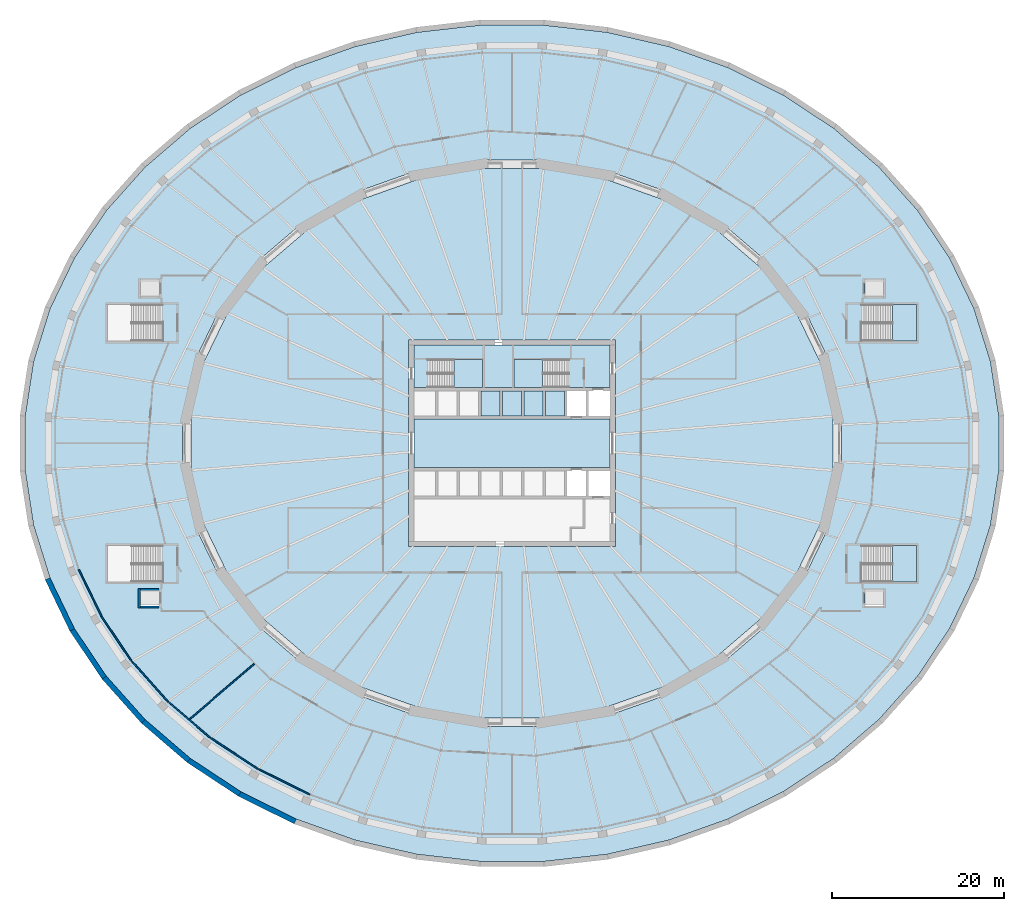
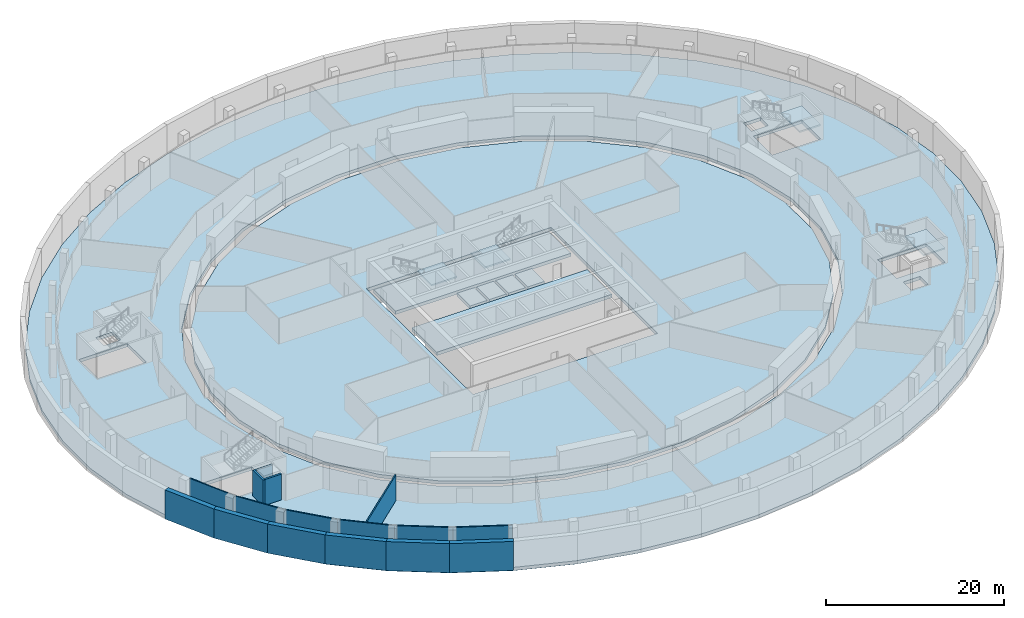
# One storey, part 4 of 14: 16 walls, 12 slabs, 4 elements without a shape of their own.
"""IFC4 building model written with IfcOpenShell, lengths in metres."""

from ifc_helpers import new_model, si_unit, direction, frame, frame_2d, origin, place, context, subcontext, project, spatial, polyline, rectangle, outline, extrude, material, layer, layer_set, type_object, element, aggregate, save


model = new_model("IFC4")

# Units and contexts
model_context = context("Model", 3, precision=1e-05, world=origin(), true_north=direction((0.0, 1.0)))
body_context = subcontext(model_context, "Body", "Model", "MODEL_VIEW")
ifc_project = project(units=[si_unit("LENGTHUNIT", "METRE"), si_unit("AREAUNIT", "SQUARE_METRE"), si_unit("VOLUMEUNIT", "CUBIC_METRE"), si_unit("PLANEANGLEUNIT", "RADIAN"), si_unit("MASSUNIT", "GRAM", prefix="KILO")], contexts=[model_context])

# Site, building, storey
site_placement = place(None, origin())
site = spatial("IfcSite", under=ifc_project, at=site_placement, CompositionType="ELEMENT")
building_placement = place(site_placement, origin())
building = spatial("IfcBuilding", under=site, at=building_placement, Name="Halqa Exchange Tower", CompositionType="ELEMENT")
storey_placement = place(building_placement, frame((0.0, 0.0, -4.0)))
storey = spatial("IfcBuildingStorey", under=building, at=storey_placement, Name="B1", CompositionType="ELEMENT", Elevation=-4.0)

# Slabs
ifc_material_1 = material(Name="Concrete C60/75", Category="concrete")
ifc_layer_1 = layer(ifc_material_1, 0.449951171875)
ifc_layer_set_1 = layer_set([ifc_layer_1], Name="Concrete C60/75")
slab_type_1 = type_object("IfcSlabType", Name="Core floor slab 450", PredefinedType="FLOOR", material=ifc_layer_set_1)
slab_1_placement = place(storey_placement, frame((0.0, 0.0, -0.449951171875)))
element("IfcSlab", 1, at=slab_1_placement, inside=storey, type_object=slab_type_1, Name="Core floor slab", PredefinedType="FLOOR", context=body_context, shape_type="SweptSolid", body=[
    extrude(outline(polyline([(11.39990234375, 2.800048828125), (11.39990234375, -2.800048828125), (-11.39990234375, -2.800048828125), (-11.39990234375, 2.800048828125), (11.39990234375, 2.800048828125)])), origin(), (0.0, 0.0, 1.0), 0.449951171875),
])
slab_2_placement = place(storey_placement, frame((0.0, 0.0, -0.449951171875)))
element("IfcSlab", 2, at=slab_2_placement, inside=storey, type_object=slab_type_1, Name="Core floor slab", PredefinedType="FLOOR", context=body_context, shape_type="SweptSolid", body=[
    extrude(outline(polyline([(11.39990234375, 11.39990234375), (11.39990234375, 6.5), (-11.39990234375, 6.5), (-11.39990234375, 11.39990234375), (11.39990234375, 11.39990234375)])), origin(), (0.0, 0.0, 1.0), 0.449951171875),
])
slab_3_placement = place(storey_placement, frame((0.0, 0.0, -0.449951171875)))
element("IfcSlab", 3, at=slab_3_placement, inside=storey, type_object=slab_type_1, Name="Core floor slab", PredefinedType="FLOOR", context=body_context, shape_type="SweptSolid", body=[
    extrude(outline(polyline([(-1.39990234375, 6.10009765625), (-1.39990234375, 3.199951171875), (-3.60009765625, 3.199951171875), (-3.60009765625, 6.10009765625), (-1.39990234375, 6.10009765625)])), origin(), (0.0, 0.0, 1.0), 0.449951171875),
])
slab_4_placement = place(storey_placement, frame((0.0, 0.0, -0.449951171875)))
element("IfcSlab", 4, at=slab_4_placement, inside=storey, type_object=slab_type_1, Name="Core floor slab", PredefinedType="FLOOR", context=body_context, shape_type="SweptSolid", body=[
    extrude(outline(polyline([(1.10009765625, 6.10009765625), (1.10009765625, 3.199951171875), (-1.10009765625, 3.199951171875), (-1.10009765625, 6.10009765625), (1.10009765625, 6.10009765625)])), origin(), (0.0, 0.0, 1.0), 0.449951171875),
])
slab_5_placement = place(storey_placement, frame((0.0, 0.0, -0.449951171875)))
element("IfcSlab", 5, at=slab_5_placement, inside=storey, type_object=slab_type_1, Name="Core floor slab", PredefinedType="FLOOR", context=body_context, shape_type="SweptSolid", body=[
    extrude(outline(polyline([(3.60009765625, 6.10009765625), (3.60009765625, 3.199951171875), (1.39990234375, 3.199951171875), (1.39990234375, 6.10009765625), (3.60009765625, 6.10009765625)])), origin(), (0.0, 0.0, 1.0), 0.449951171875),
])
slab_6_placement = place(storey_placement, frame((0.0, 0.0, -0.449951171875)))
element("IfcSlab", 6, at=slab_6_placement, inside=storey, type_object=slab_type_1, Name="Core floor slab", PredefinedType="FLOOR", context=body_context, shape_type="SweptSolid", body=[
    extrude(outline(polyline([(6.10009765625, 6.10009765625), (6.10009765625, 3.199951171875), (3.89990234375, 3.199951171875), (3.89990234375, 6.10009765625), (6.10009765625, 6.10009765625)])), origin(), (0.0, 0.0, 1.0), 0.449951171875),
])
ifc_material_2 = material(Name="Concrete C40/50", Category="concrete")
ifc_layer_2 = layer(ifc_material_2, 0.449951171875)
ifc_layer_set_2 = layer_set([ifc_layer_2], Name="Concrete C40/50")
slab_type_2 = type_object("IfcSlabType", Name="RC floor slab 450", PredefinedType="FLOOR", material=ifc_layer_set_2)
slab_7_placement = place(storey_placement, frame((0.0, 0.0, -0.449951171875)))
element("IfcSlab", 7, at=slab_7_placement, inside=storey, type_object=slab_type_2, Name="Floor slab", PredefinedType="FLOOR", context=body_context, shape_type="SweptSolid", body=[
    extrude(outline(polyline([(37.31689453125, 3.13525390625), (37.31689453125, -3.13525390625), (35.88916015625, -9.28759765625), (33.0859375, -15.088623046875), (29.010986328125, -20.316162109375), (23.8173828125, -24.767578125), (17.70361328125, -28.269287109375), (10.904296875, -30.683349609375), (3.682373046875, -31.91455078125), (-3.682373046875, -31.91455078125), (-10.904296875, -30.683349609375), (-17.70361328125, -28.269287109375), (-23.8173828125, -24.767578125), (-29.010986328125, -20.316162109375), (-33.0859375, -15.088623046875), (-35.88916015625, -9.28759765625), (-37.31689453125, -3.13525390625), (-37.31689453125, 3.13525390625), (-35.88916015625, 9.28759765625), (-33.0859375, 15.088623046875), (-29.010986328125, 20.316162109375), (-23.8173828125, 24.767578125), (-17.70361328125, 28.269287109375), (-10.904296875, 30.683349609375), (-3.682373046875, 31.91455078125), (3.682373046875, 31.91455078125), (10.904296875, 30.683349609375), (17.70361328125, 28.269287109375), (23.8173828125, 24.767578125), (29.010986328125, 20.316162109375), (33.0859375, 15.088623046875), (35.88916015625, 9.28759765625), (37.31689453125, 3.13525390625)]), holes=[polyline([(-12.0, -12.0), (12.0, -12.0), (12.0, 12.0), (-12.0, 12.0), (-12.0, -12.0)])]), origin(), (0.0, 0.0, 1.0), 0.449951171875),
])
slab_8_placement = place(storey_placement, frame((0.0, 0.0, -0.449951171875)))
element("IfcSlab", 8, at=slab_8_placement, inside=storey, type_object=slab_type_2, Name="Podium floor slab", PredefinedType="FLOOR", context=body_context, shape_type="SweptSolid", body=[
    extrude(outline(polyline([(56.577880859375, 3.181884765625), (56.577880859375, -3.181884765625), (55.61181640625, -9.49169921875), (53.6953125, -15.64013671875), (50.860595703125, -21.522705078125), (47.15625, -27.03857421875), (42.644287109375, -32.09326171875), (37.401611328125, -36.600341796875), (31.517578125, -40.4814453125), (25.093017578125, -43.670166015625), (18.23779296875, -46.111083984375), (11.0693359375, -47.76220703125), (3.711181640625, -48.59521484375), (-3.711181640625, -48.59521484375), (-11.0693359375, -47.76220703125), (-18.23779296875, -46.111083984375), (-25.093017578125, -43.670166015625), (-31.517578125, -40.4814453125), (-37.401611328125, -36.600341796875), (-42.644287109375, -32.09326171875), (-47.15625, -27.03857421875), (-50.860595703125, -21.522705078125), (-53.6953125, -15.64013671875), (-55.61181640625, -9.49169921875), (-56.577880859375, -3.181884765625), (-56.577880859375, 3.181884765625), (-55.61181640625, 9.49169921875), (-53.6953125, 15.64013671875), (-50.860595703125, 21.522705078125), (-47.15625, 27.03857421875), (-42.644287109375, 32.09326171875), (-37.401611328125, 36.600341796875), (-31.517578125, 40.4814453125), (-25.093017578125, 43.670166015625), (-18.23779296875, 46.111083984375), (-11.0693359375, 47.76220703125), (-3.711181640625, 48.59521484375), (3.711181640625, 48.59521484375), (11.0693359375, 47.76220703125), (18.23779296875, 46.111083984375), (25.093017578125, 43.670166015625), (31.517578125, 40.4814453125), (37.401611328125, 36.600341796875), (42.644287109375, 32.09326171875), (47.15625, 27.03857421875), (50.860595703125, 21.522705078125), (53.6953125, 15.64013671875), (55.61181640625, 9.49169921875), (56.577880859375, 3.181884765625)]), holes=[polyline([(38.31689453125, 3.25), (38.31689453125, -3.25), (36.838134765625, -9.622314453125), (33.93994140625, -15.619384765625), (29.73779296875, -21.010009765625), (24.396484375, -25.58837890625), (18.122802734375, -29.181640625), (11.157470703125, -31.654541015625), (3.76708984375, -32.91455078125), (-3.76708984375, -32.91455078125), (-11.157470703125, -31.654541015625), (-18.122802734375, -29.181640625), (-24.396484375, -25.58837890625), (-29.73779296875, -21.010009765625), (-33.93994140625, -15.619384765625), (-36.838134765625, -9.622314453125), (-38.31689453125, -3.25), (-38.31689453125, 3.25), (-36.838134765625, 9.622314453125), (-33.93994140625, 15.619384765625), (-29.73779296875, 21.010009765625), (-24.396484375, 25.58837890625), (-18.122802734375, 29.181640625), (-11.157470703125, 31.654541015625), (-3.76708984375, 32.91455078125), (3.76708984375, 32.91455078125), (11.157470703125, 31.654541015625), (18.122802734375, 29.181640625), (24.396484375, 25.58837890625), (29.73779296875, 21.010009765625), (33.93994140625, 15.619384765625), (36.838134765625, 9.622314453125), (38.31689453125, 3.25)]), polyline([(40.699951171875, 11.875), (47.0, 11.875), (47.0, 16.125), (40.699951171875, 16.125), (40.699951171875, 11.875)]), polyline([(40.699951171875, -16.125), (47.0, -16.125), (47.0, -11.875), (40.699951171875, -11.875), (40.699951171875, -16.125)]), polyline([(-47.0, 11.875), (-40.699951171875, 11.875), (-40.699951171875, 16.125), (-47.0, 16.125), (-47.0, 11.875)]), polyline([(-47.0, -16.125), (-40.699951171875, -16.125), (-40.699951171875, -11.875), (-47.0, -11.875), (-47.0, -16.125)]), polyline([(41.0, 17.10009765625), (43.199951171875, 17.10009765625), (43.199951171875, 18.89990234375), (41.0, 18.89990234375), (41.0, 17.10009765625)]), polyline([(41.0, -18.89990234375), (43.199951171875, -18.89990234375), (43.199951171875, -17.10009765625), (41.0, -17.10009765625), (41.0, -18.89990234375)]), polyline([(-43.199951171875, 17.10009765625), (-41.0, 17.10009765625), (-41.0, 18.89990234375), (-43.199951171875, 18.89990234375), (-43.199951171875, 17.10009765625)]), polyline([(-43.199951171875, -18.89990234375), (-41.0, -18.89990234375), (-41.0, -17.10009765625), (-43.199951171875, -17.10009765625), (-43.199951171875, -18.89990234375)])]), origin(), (0.0, 0.0, 1.0), 0.449951171875),
])

# Stair, slab
ifc_material_3 = material(Name="Concrete C30/37", Category="concrete")
stair_type_1 = type_object("IfcStairType", Name="Exit stair 1500 wide", PredefinedType="HALF_TURN_STAIR", material=ifc_material_3)
stair_1_placement = place(storey_placement, origin())
stair_1 = element("IfcStair", 9, at=stair_1_placement, inside=storey, type_object=stair_type_1, Name="Exit stair ST1", PredefinedType="HALF_TURN_STAIR")
ifc_layer_3 = layer(ifc_material_3, 0.199951171875)
ifc_layer_set_3 = layer_set([ifc_layer_3], Name="Concrete C30/37")
slab_type_3 = type_object("IfcSlabType", Name="Stair landing 200 slab", PredefinedType="LANDING", material=ifc_layer_set_3)
slab_9_placement = place(storey_placement, frame((0.0, 0.0, 1.800048828125)))
slab_9 = element("IfcSlab", 10, at=slab_9_placement, type_object=slab_type_3, Name="ST1 landing 1", PredefinedType="LANDING", context=body_context, shape_type="SweptSolid", body=[
    extrude(outline(polyline([(-6.719970703125, 6.5), (-3.39990234375, 6.5), (-3.39990234375, 9.75), (-6.719970703125, 9.75), (-6.719970703125, 6.5)])), origin(), (0.0, 0.0, 1.0), 0.199951171875),
])
aggregate(stair_1, [slab_9])

stair_2_placement = place(storey_placement, origin())
stair_2 = element("IfcStair", 11, at=stair_2_placement, inside=storey, type_object=stair_type_1, Name="Exit stair ST2", PredefinedType="HALF_TURN_STAIR")
slab_10_placement = place(storey_placement, frame((0.0, 0.0, 1.800048828125)))
slab_10 = element("IfcSlab", 12, at=slab_10_placement, type_object=slab_type_3, Name="ST2 landing 1", PredefinedType="LANDING", context=body_context, shape_type="SweptSolid", body=[
    extrude(outline(polyline([(0.25, 6.5), (3.570068359375, 6.5), (3.570068359375, 9.75), (0.25, 9.75), (0.25, 6.5)])), origin(), (0.0, 0.0, 1.0), 0.199951171875),
])
aggregate(stair_2, [slab_10])

stair_type_2 = type_object("IfcStairType", Name="Exit stair 2000 wide", PredefinedType="HALF_TURN_STAIR", material=ifc_material_3)
stair_3_placement = place(storey_placement, origin())
stair_3 = element("IfcStair", 13, at=stair_3_placement, inside=storey, type_object=stair_type_2, Name="Exit stair SS1", PredefinedType="HALF_TURN_STAIR")
slab_11_placement = place(storey_placement, frame((0.0, 0.0, 1.800048828125)))
slab_11 = element("IfcSlab", 14, at=slab_11_placement, type_object=slab_type_3, Name="SS1 landing 1", PredefinedType="LANDING", context=body_context, shape_type="SweptSolid", body=[
    extrude(outline(polyline([(44.239990234375, 11.875), (47.0, 11.875), (47.0, 16.125), (44.239990234375, 16.125), (44.239990234375, 11.875)])), origin(), (0.0, 0.0, 1.0), 0.199951171875),
])
aggregate(stair_3, [slab_11])

stair_4_placement = place(storey_placement, origin())
stair_4 = element("IfcStair", 15, at=stair_4_placement, inside=storey, type_object=stair_type_2, Name="Exit stair SS2", PredefinedType="HALF_TURN_STAIR")
slab_12_placement = place(storey_placement, frame((0.0, 0.0, 1.800048828125)))
slab_12 = element("IfcSlab", 16, at=slab_12_placement, type_object=slab_type_3, Name="SS2 landing 1", PredefinedType="LANDING", context=body_context, shape_type="SweptSolid", body=[
    extrude(outline(polyline([(44.239990234375, -16.125), (47.0, -16.125), (47.0, -11.875), (44.239990234375, -11.875), (44.239990234375, -16.125)])), origin(), (0.0, 0.0, 1.0), 0.199951171875),
])
aggregate(stair_4, [slab_12])

# Walls
ifc_material_4 = material(Name="Fire-rated gypsum board")
ifc_layer_4 = layer(ifc_material_4, 0.14990234375)
ifc_layer_set_4 = layer_set([ifc_layer_4], Name="Fire-rated gypsum board")
wall_type_1 = type_object("IfcWallType", Name="Fire partition EI 60 150", PredefinedType="PARTITIONING", material=ifc_layer_set_4)
wall_1_placement = place(storey_placement, frame((-47.716552734375, -20.059814453125, 0.0), z_axis=(0.0, 0.0, 1.0), x_axis=(-0.439136399297, 0.898420404272, 0.0)))
element("IfcWall", 17, at=wall_1_placement, inside=storey, type_object=wall_type_1, Name="B1-PWL-008", PredefinedType="PARTITIONING", context=body_context, shape_type="SweptSolid", body=[
    extrude(rectangle(XDim=5.998291015625, YDim=0.14990234375, at=frame_2d((2.9990234375, 0.0))), origin(), (0.0, 0.0, 1.0), 3.550048828125),
])
wall_2_placement = place(storey_placement, frame((-44.220703125, -25.302978515625, 0.0), z_axis=(0.0, 0.0, 1.0), x_axis=(-0.558802536785, 0.829300744533, 0.0)))
element("IfcWall", 18, at=wall_2_placement, inside=storey, type_object=wall_type_1, Name="B1-PWL-009", PredefinedType="PARTITIONING", context=body_context, shape_type="SweptSolid", body=[
    extrude(rectangle(XDim=6.30712890625, YDim=0.14990234375, at=frame_2d((3.153564453125, 0.0))), origin(), (0.0, 0.0, 1.0), 3.550048828125),
])
wall_3_placement = place(storey_placement, frame((-39.981201171875, -30.015380859375, 0.0), z_axis=(0.0, 0.0, 1.0), x_axis=(-0.6673947824, 0.744704105283, 0.0)))
element("IfcWall", 19, at=wall_3_placement, inside=storey, type_object=wall_type_1, Name="B1-PWL-020", PredefinedType="PARTITIONING", context=body_context, shape_type="SweptSolid", body=[
    extrude(rectangle(XDim=6.338134765625, YDim=0.14990234375, at=frame_2d((3.1689453125, 0.0))), origin(), (0.0, 0.0, 1.0), 3.550048828125),
])
wall_4_placement = place(storey_placement, frame((-39.97314453125, -30.00732421875, 0.0), z_axis=(0.0, 0.0, 1.0), x_axis=(0.759038455419, -0.651045791934, 0.0)))
element("IfcWall", 20, at=wall_4_placement, inside=storey, type_object=wall_type_1, Name="B1-PWL-021", PredefinedType="PARTITIONING", context=body_context, shape_type="SweptSolid", body=[
    extrude(rectangle(XDim=6.479248046875, YDim=0.14990234375, at=frame_2d((3.23974609375, 0.0))), origin(), (0.0, 0.0, 1.0), 3.550048828125),
])
wall_5_placement = place(storey_placement, frame((-29.956298828125, -25.628173828125, 0.0), z_axis=(0.0, 0.0, 1.0), x_axis=(-0.759329804597, -0.650705961131, 0.0)))
element("IfcWall", 21, at=wall_5_placement, inside=storey, type_object=wall_type_1, Name="B1-PWL-033", PredefinedType="PARTITIONING", context=body_context, shape_type="SweptSolid", body=[
    extrude(outline(polyline([(0.006591796875, -0.074951171875), (9.898681640625, -0.074951171875), (9.875732421875, 0.074951171875), (-0.006591796875, 0.074951171875), (0.006591796875, -0.074951171875)])), origin(), (0.0, 0.0, 1.0), 3.550048828125),
])
wall_6_placement = place(storey_placement, frame((-29.528564453125, -37.846923828125, 0.0), z_axis=(0.0, 0.0, 1.0), x_axis=(-0.83553583791, 0.549435950378, 0.0)))
element("IfcWall", 22, at=wall_6_placement, inside=storey, type_object=wall_type_1, Name="B1-PWL-035", PredefinedType="PARTITIONING", context=body_context, shape_type="SweptSolid", body=[
    extrude(rectangle(XDim=6.6064453125, YDim=0.14990234375, at=frame_2d((3.30322265625, 0.0))), origin(), (0.0, 0.0, 1.0), 3.550048828125),
])
wall_7_placement = place(storey_placement, frame((-23.493408203125, -40.827880859375, 0.0), z_axis=(0.0, 0.0, 1.0), x_axis=(-0.895909442692, 0.444236727991, 0.0)))
element("IfcWall", 23, at=wall_7_placement, inside=storey, type_object=wall_type_1, Name="B1-PWL-047", PredefinedType="PARTITIONING", context=body_context, shape_type="SweptSolid", body=[
    extrude(rectangle(XDim=6.730712890625, YDim=0.14990234375, at=frame_2d((3.365234375, 0.0))), origin(), (0.0, 0.0, 1.0), 3.550048828125),
])
ifc_material_5 = material(Name="Gypsum board")
ifc_layer_5 = layer(ifc_material_5, 0.25)
ifc_layer_set_5 = layer_set([ifc_layer_5], Name="Gypsum board")
wall_type_2 = type_object("IfcWallType", Name="Penthouse riser wall 250 gypsum", PredefinedType="PARTITIONING", material=ifc_layer_set_5)
wall_8_placement = place(storey_placement, frame((-43.324951171875, -19.14990234375, 0.0), z_axis=(0.0, 0.0, 1.0), x_axis=(0.0, 1.0, 0.0)))
element("IfcWall", 24, at=wall_8_placement, inside=storey, type_object=wall_type_2, Name="Station lift AL4 wall west", PredefinedType="PARTITIONING", context=body_context, shape_type="SweptSolid", body=[
    extrude(rectangle(XDim=2.2998046875, YDim=0.25, at=frame_2d((1.14990234375, 0.0))), origin(), (0.0, 0.0, 1.0), 3.550048828125),
])
for number, where, z_axis, x_axis, name in (
    (25, (-43.199951171875, -16.97509765625, 0.0), (0.0, 0.0, 1.0), (1.0, 0.0, 0.0), "Station lift AL4 wall north"),
    (26, (-43.199951171875, -19.02490234375, 0.0), (0.0, 0.0, 1.0), (1.0, 0.0, 0.0), "Station lift AL4 wall south"),
):
    element("IfcWall", number, at=place(storey_placement, frame(where, z_axis=z_axis, x_axis=x_axis)), inside=storey, type_object=wall_type_2, Name=name, PredefinedType="PARTITIONING", context=body_context, shape_type="SweptSolid", body=[
        extrude(rectangle(XDim=2.199951171875, YDim=0.25, at=frame_2d((1.10009765625, 0.0))), origin(), (0.0, 0.0, 1.0), 3.550048828125),
    ])
ifc_layer_6 = layer(ifc_material_2, 0.60009765625)
ifc_layer_set_6 = layer_set([ifc_layer_6], Name="Concrete C40/50")
wall_type_3 = type_object("IfcWallType", Name="RC basement wall 600", PredefinedType="SOLIDWALL", material=ifc_layer_set_6)
wall_9_placement = place(storey_placement, frame((-53.984619140625, -15.730712890625, 0.0), z_axis=(0.0, 0.0, 1.0), x_axis=(0.434104041315, -0.900862742772, 0.0)))
element("IfcWall", 27, at=wall_9_placement, inside=storey, type_object=wall_type_3, Name="Basement retaining wall", PredefinedType="SOLIDWALL", context=body_context, shape_type="SweptSolid", body=[
    extrude(rectangle(XDim=6.61669921875, YDim=0.60009765625, at=frame_2d((3.308349609375, 0.0))), origin(), (0.0, 0.0, 1.0), 4.0),
])
wall_10_placement = place(storey_placement, frame((-51.133544921875, -21.654296875, 0.0), z_axis=(0.0, 0.0, 1.0), x_axis=(0.557518861869, -0.830164272093, 0.0)))
element("IfcWall", 28, at=wall_10_placement, inside=storey, type_object=wall_type_3, Name="Basement retaining wall", PredefinedType="SOLIDWALL", context=body_context, shape_type="SweptSolid", body=[
    extrude(rectangle(XDim=6.728515625, YDim=0.60009765625, at=frame_2d((3.3642578125, 0.0))), origin(), (0.0, 0.0, 1.0), 4.0),
])
wall_11_placement = place(storey_placement, frame((-47.407470703125, -27.20751953125, 0.0), z_axis=(0.0, 0.0, 1.0), x_axis=(0.665894053378, -0.74604631872, 0.0)))
element("IfcWall", 29, at=wall_11_placement, inside=storey, type_object=wall_type_3, Name="Basement retaining wall", PredefinedType="SOLIDWALL", context=body_context, shape_type="SweptSolid", body=[
    extrude(rectangle(XDim=6.8564453125, YDim=0.60009765625, at=frame_2d((3.42822265625, 0.0))), origin(), (0.0, 0.0, 1.0), 4.0),
])
wall_12_placement = place(storey_placement, frame((-42.869873046875, -32.294921875, 0.0), z_axis=(0.0, 0.0, 1.0), x_axis=(0.758319142722, -0.65188348482, 0.0)))
element("IfcWall", 30, at=wall_12_placement, inside=storey, type_object=wall_type_3, Name="Basement retaining wall", PredefinedType="SOLIDWALL", context=body_context, shape_type="SweptSolid", body=[
    extrude(rectangle(XDim=6.991455078125, YDim=0.60009765625, at=frame_2d((3.49560546875, 0.0))), origin(), (0.0, 0.0, 1.0), 4.0),
])
wall_13_placement = place(storey_placement, frame((-37.5986328125, -36.82958984375, 0.0), z_axis=(0.0, 0.0, 1.0), x_axis=(0.834745196239, -0.550636411215, 0.0)))
element("IfcWall", 31, at=wall_13_placement, inside=storey, type_object=wall_type_3, Name="Basement retaining wall", PredefinedType="SOLIDWALL", context=body_context, shape_type="SweptSolid", body=[
    extrude(rectangle(XDim=7.123779296875, YDim=0.60009765625, at=frame_2d((3.56201171875, 0.0))), origin(), (0.0, 0.0, 1.0), 4.0),
])
wall_14_placement = place(storey_placement, frame((-31.68408203125, -40.73388671875, 0.0), z_axis=(0.0, 0.0, 1.0), x_axis=(0.895750986496, -0.44455614965, 0.0)))
element("IfcWall", 32, at=wall_14_placement, inside=storey, type_object=wall_type_3, Name="Basement retaining wall", PredefinedType="SOLIDWALL", context=body_context, shape_type="SweptSolid", body=[
    extrude(rectangle(XDim=7.244873046875, YDim=0.60009765625, at=frame_2d((3.62255859375, 0.0))), origin(), (0.0, 0.0, 1.0), 4.0),
])

save(model, "model.ifc")
